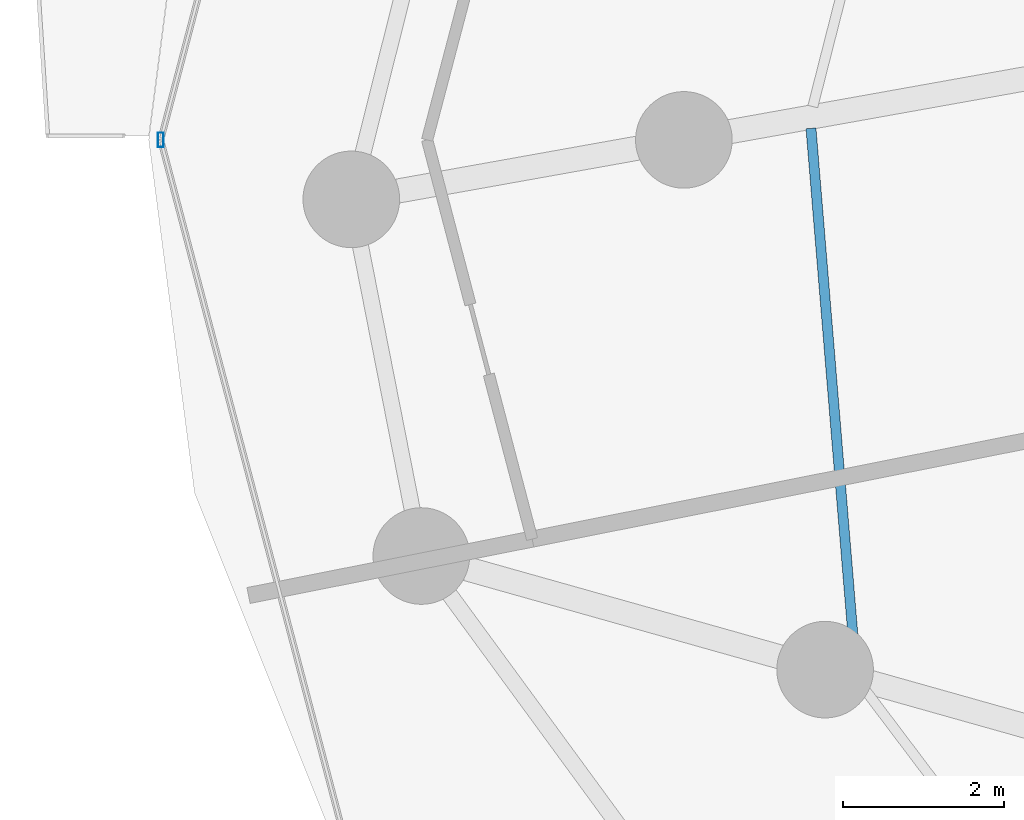
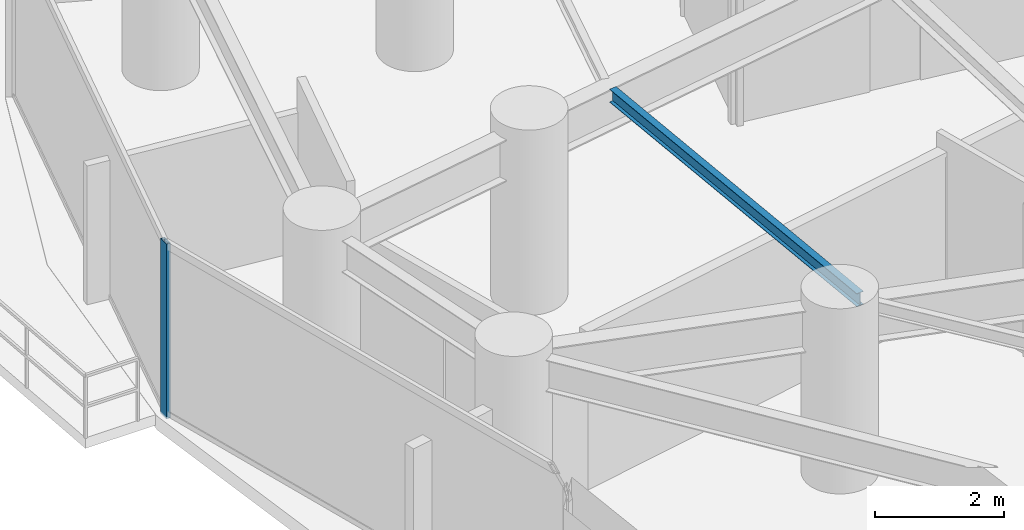
# One storey, part 8 of 35: 1 beam, 1 member, 1 element without a shape of its own.
"""IFC4 building model written with IfcOpenShell, lengths in metres."""

from ifc_helpers import new_model, si_unit, direction, frame, origin, origin_2d, place, context, subcontext, project, spatial, hollow_rectangle, i_section, extrude, material, material_profile, profile_set, type_object, element, aggregate, save


model = new_model("IFC4")

# Units and contexts
model_context = context("Model", 3, precision=1e-05, world=origin(), true_north=direction((0.0, 1.0)))
body_context = subcontext(model_context, "Body", "Model", "MODEL_VIEW")
ifc_project = project(units=[si_unit("LENGTHUNIT", "METRE"), si_unit("AREAUNIT", "SQUARE_METRE"), si_unit("VOLUMEUNIT", "CUBIC_METRE"), si_unit("PLANEANGLEUNIT", "RADIAN"), si_unit("MASSUNIT", "GRAM", prefix="KILO")], contexts=[model_context])

# Site, building, storey
site_placement = place(None, origin())
site = spatial("IfcSite", under=ifc_project, at=site_placement, CompositionType="ELEMENT")
building_placement = place(site_placement, origin())
building = spatial("IfcBuilding", under=site, at=building_placement, Name="Vorneva Point Tower", CompositionType="ELEMENT")
storey_placement = place(building_placement, frame((0.0, 0.0, 48.5)))
storey = spatial("IfcBuildingStorey", under=building, at=storey_placement, Name="L12", CompositionType="ELEMENT", Elevation=48.5)

# Beam
ifc_material_1 = material(Name="Steel S355", Category="steel")
ifc_material_profile_1 = material_profile(ifc_material_1, i_section(OverallWidth=0.1240234375, OverallDepth=0.248046875, WebThickness=0.0048828125, FlangeThickness=0.008056640625, at=origin_2d()), Name="25B1")
ifc_profile_set_1 = profile_set([ifc_material_profile_1], Name="Steel S355")
beam_type = type_object("IfcBeamType", Name="BM-JST-25B1", PredefinedType="JOIST", material=ifc_profile_set_1)
beam_placement = place(storey_placement, frame((16.529296875, 26.142822265625, 3.115966796875), z_axis=(0.082468201041, -0.996593696457, 0.0), x_axis=(0.996593696457, 0.082468201041, 0.0)))
element("IfcBeam", 1, at=beam_placement, inside=storey, type_object=beam_type, Name="L12 Secondary Floor Beam 1.09", PredefinedType="JOIST", context=body_context, shape_type="SweptSolid", body=[
    extrude(i_section(OverallWidth=0.1240234375, OverallDepth=0.248046875, WebThickness=0.0048828125, FlangeThickness=0.008056640625, at=origin_2d()), origin(), (0.0, 0.0, 1.0), 6.72021484375),
])

# Curtain wall, member
ifc_material_2 = material(Name="Pale anodised aluminium", Category="aluminium")
curtain_wall_type = type_object("IfcCurtainWallType", Name="CW-HTL-SYS", PredefinedType="NOTDEFINED", material=ifc_material_2)
curtain_wall_placement = place(storey_placement, origin())
curtain_wall = element("IfcCurtainWall", 2, at=curtain_wall_placement, inside=storey, type_object=curtain_wall_type, Name="L12 Unitised Curtain Wall CW-L12-R03", PredefinedType="NOTDEFINED")
ifc_material_profile_2 = material_profile(ifc_material_2, hollow_rectangle(XDim=0.074951171875, YDim=0.179931640625, WallThickness=0.00390625, at=origin_2d()), Name="AL-MUL 180x75x4")
ifc_profile_set_2 = profile_set([ifc_material_profile_2], Name="Pale anodised aluminium")
member_type = type_object("IfcMemberType", Name="CW-MUL-180", PredefinedType="MULLION", material=ifc_profile_set_2)
member_placement = place(storey_placement, frame((8.449951171875, 26.0, -0.0400390625), z_axis=(0.0, 0.0, 1.0), x_axis=(1.0, 0.0, 0.0)))
member = element("IfcMember", 3, at=member_placement, type_object=member_type, Name="CW-L12-R03 Mullion 02", PredefinedType="MULLION", context=body_context, shape_type="SweptSolid", body=[
    extrude(hollow_rectangle(XDim=0.074951171875, YDim=0.179931640625, WallThickness=0.00390625, at=origin_2d()), origin(), (0.0, 0.0, 1.0), 3.31005859375),
])
aggregate(curtain_wall, [member])

save(model, "model.ifc")
